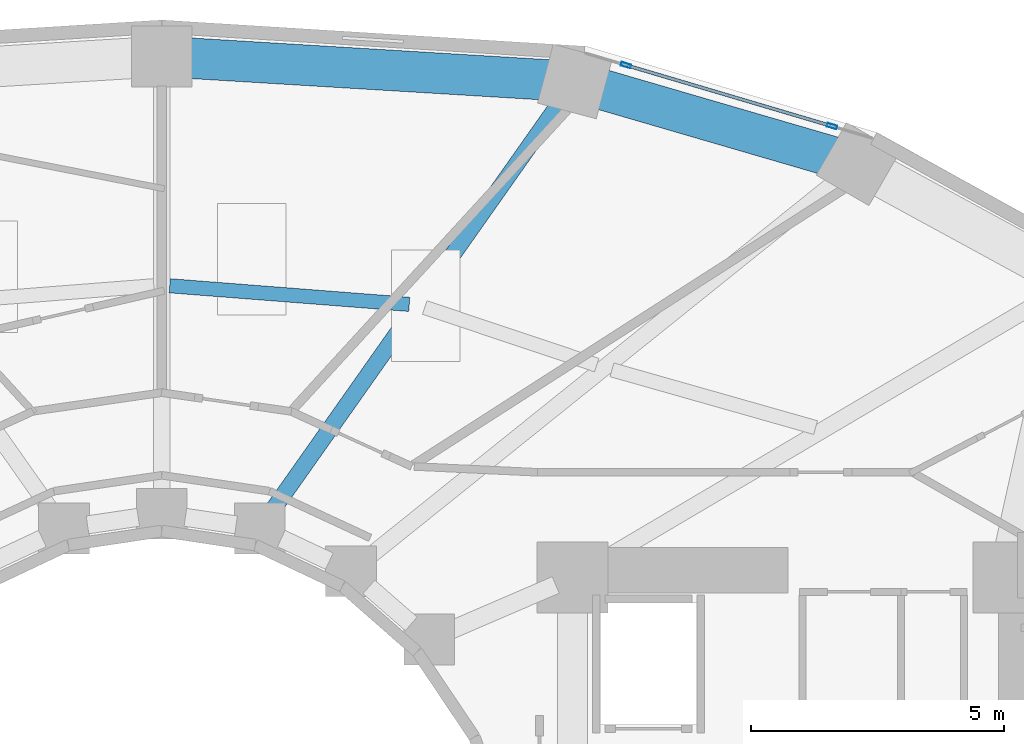
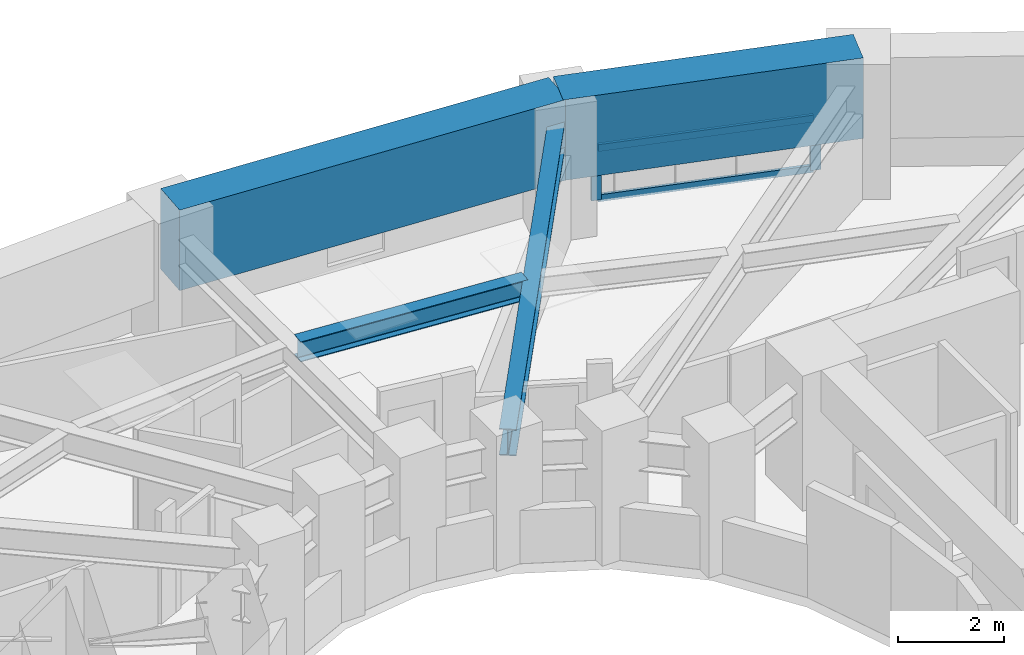
# One storey, part 8 of 17: 4 beams, 4 members, 1 element without a shape of its own.
"""IFC4 building model written with IfcOpenShell, lengths in metres."""

from ifc_helpers import new_model, si_unit, direction, frame, origin, origin_2d, place, context, subcontext, project, spatial, rectangle, hollow_rectangle, i_section, extrude, material, layer, layer_set, material_profile, profile_set, type_object, element, aggregate, save


model = new_model("IFC4")

# Units and contexts
model_context = context("Model", 3, precision=1e-05, world=origin(), true_north=direction((0.0, 1.0)))
body_context = subcontext(model_context, "Body", "Model", "MODEL_VIEW")
ifc_project = project(units=[si_unit("LENGTHUNIT", "METRE"), si_unit("AREAUNIT", "SQUARE_METRE"), si_unit("VOLUMEUNIT", "CUBIC_METRE"), si_unit("PLANEANGLEUNIT", "RADIAN"), si_unit("MASSUNIT", "GRAM", prefix="KILO")], contexts=[model_context])

# Site, building, storey
site_placement = place(None, origin())
site = spatial("IfcSite", under=ifc_project, at=site_placement, CompositionType="ELEMENT")
building_placement = place(site_placement, origin())
building = spatial("IfcBuilding", under=site, at=building_placement, Name="Solvane Sanctuary Tower", CompositionType="ELEMENT")
storey_placement = place(building_placement, frame((0.0, 0.0, 52.39990234375)))
storey = spatial("IfcBuildingStorey", under=building, at=storey_placement, Name="L15", CompositionType="ELEMENT", Elevation=52.39990234375)

# Beams
ifc_material_1 = material(Name="Steel ASTM A992 Grade 50", Category="steel")
ifc_material_profile_1 = material_profile(ifc_material_1, i_section(OverallWidth=0.323974609375, OverallDepth=0.611083984375, WebThickness=0.0126953125, FlangeThickness=0.01904296875, FilletRadius=0.01611328125, at=origin_2d()), Name="W24X104")
ifc_profile_set_1 = profile_set([ifc_material_profile_1], Name="Steel ASTM A992 Grade 50")
beam_type_1 = type_object("IfcBeamType", Name="Beam B-RAD-Z1 W24X104", PredefinedType="BEAM", material=ifc_profile_set_1)
beam_1_placement = place(storey_placement, frame((34.092041015625, 31.400390625, 2.29248046875), z_axis=(0.576233115666, 0.817285382476, 0.0), x_axis=(-0.817285382476, 0.576233115666, 0.0)))
element("IfcBeam", 1, at=beam_1_placement, inside=storey, type_object=beam_type_1, Name="L15 Radial Composite Floor Beam 03", PredefinedType="BEAM", context=body_context, shape_type="SweptSolid", body=[
    extrude(i_section(OverallWidth=0.323974609375, OverallDepth=0.611083984375, WebThickness=0.0126953125, FlangeThickness=0.01904296875, FilletRadius=0.01611328125, at=origin_2d()), origin(), (0.0, 0.0, 1.0), 10.224365234375),
])
ifc_material_profile_2 = material_profile(ifc_material_1, i_section(OverallWidth=0.280029296875, OverallDepth=0.462890625, WebThickness=0.0107421875, FlangeThickness=0.017333984375, FilletRadius=0.013916015625, at=origin_2d()), Name="W18X76")
ifc_profile_set_2 = profile_set([ifc_material_profile_2], Name="Steel ASTM A992 Grade 50")
beam_type_2 = type_object("IfcBeamType", Name="Beam B-SEC-JOIST W18X76", PredefinedType="JOIST", material=ifc_profile_set_2)
beam_2_placement = place(storey_placement, frame((32.156494140625, 35.957763671875, 2.36669921875), z_axis=(0.996997851194, -0.077429223911, 0.0), x_axis=(0.077429223911, 0.996997851194, 0.0)))
element("IfcBeam", 2, at=beam_2_placement, inside=storey, type_object=beam_type_2, Name="L15 Secondary Circumferential Joist 04-03", PredefinedType="JOIST", context=body_context, shape_type="SweptSolid", body=[
    extrude(i_section(OverallWidth=0.280029296875, OverallDepth=0.462890625, WebThickness=0.0107421875, FlangeThickness=0.017333984375, FilletRadius=0.013916015625, at=origin_2d()), origin(), (0.0, 0.0, 1.0), 4.739013671875),
])
ifc_material_2 = material(Name="Concrete C70/85", Category="concrete")
ifc_material_profile_3 = material_profile(ifc_material_2, rectangle(XDim=0.800048828125, YDim=1.85009765625, at=origin_2d()), Name="RC800X1850")
ifc_profile_set_3 = profile_set([ifc_material_profile_3], Name="Concrete C70/85")
beam_type_3 = type_object("IfcBeamType", Name="Beam B-XFER-BLK RC800X1850", PredefinedType="BEAM", material=ifc_profile_set_3)
beam_3_placement = place(storey_placement, frame((32.0, 40.47998046875, 2.175048828125), z_axis=(0.998162963029, -0.06058629579, 0.0), x_axis=(0.06058629579, 0.998162963029, 0.0)))
element("IfcBeam", 3, at=beam_3_placement, inside=storey, type_object=beam_type_3, Name="L15 Perimeter Step Transfer Ring NTC04-NTC03", PredefinedType="BEAM", context=body_context, shape_type="SweptSolid", body=[
    extrude(rectangle(XDim=0.800048828125, YDim=1.85009765625, at=origin_2d()), origin(), (0.0, 0.0, 1.0), 8.159912109375),
])
beam_4_placement = place(storey_placement, frame((40.14501953125, 39.985595703125, 2.175048828125), z_axis=(0.960089774527, -0.279692017849, 0.0), x_axis=(0.279692017849, 0.960089774527, 0.0)))
element("IfcBeam", 4, at=beam_4_placement, inside=storey, type_object=beam_type_3, Name="L15 Perimeter Step Transfer Ring NTC03-NTC02", PredefinedType="BEAM", context=body_context, shape_type="SweptSolid", body=[
    extrude(rectangle(XDim=0.800048828125, YDim=1.85009765625, at=origin_2d()), origin(), (0.0, 0.0, 1.0), 5.814208984375),
])

# Curtain wall, members
ifc_material_3 = material(Name="Anodised Aluminium 6063-T6", Category="aluminium")
ifc_layer = layer(ifc_material_3, 0.169921875, Name="Anodised Aluminium 6063-T6")
ifc_layer_set = layer_set([ifc_layer], Name="Anodised Aluminium 6063-T6")
curtain_wall_type = type_object("IfcCurtainWallType", Name="Curtain Wall CW-FRIT-Z1", PredefinedType="NOTDEFINED", material=ifc_layer_set)
curtain_wall_placement = place(storey_placement, origin())
curtain_wall = element("IfcCurtainWall", 5, at=curtain_wall_placement, inside=storey, type_object=curtain_wall_type, Name="L15 CW-FRIT-Z1 Facade Run 04", PredefinedType="NOTDEFINED")
ifc_material_profile_4 = material_profile(ifc_material_3, hollow_rectangle(XDim=0.074951171875, YDim=0.199951171875, WallThickness=0.00390625, at=origin_2d()), Name="ALU200X75X4")
ifc_profile_set_4 = profile_set([ifc_material_profile_4], Name="Anodised Aluminium 6063-T6")
member_type_1 = type_object("IfcMemberType", Name="Member M-CW-MUL-1 ALU200X75X4", PredefinedType="MULLION", material=ifc_profile_set_4)
member_1_placement = place(storey_placement, frame((45.2197265625, 39.10546875, 0.0), z_axis=(0.0, 0.0, 1.0), x_axis=(-0.283936052018, -0.958843218866, 0.0)))
member_1 = element("IfcMember", 6, at=member_1_placement, type_object=member_type_1, Name="CW-FRIT-Z1 mullion 1", PredefinedType="MULLION", context=body_context, shape_type="SweptSolid", body=[
    extrude(hollow_rectangle(XDim=0.074951171875, YDim=0.199951171875, WallThickness=0.00390625, at=origin_2d()), origin(), (0.0, 0.0, 1.0), 1.22021484375),
])
member_2_placement = place(storey_placement, frame((41.154052734375, 40.3095703125, 0.0), z_axis=(0.0, 0.0, 1.0), x_axis=(-0.283936052018, -0.958843218866, 0.0)))
member_2 = element("IfcMember", 7, at=member_2_placement, type_object=member_type_1, Name="CW-FRIT-Z1 mullion 2", PredefinedType="MULLION", context=body_context, shape_type="SweptSolid", body=[
    extrude(hollow_rectangle(XDim=0.074951171875, YDim=0.199951171875, WallThickness=0.00390625, at=origin_2d()), origin(), (0.0, 0.0, 1.0), 1.22021484375),
])
ifc_material_profile_5 = material_profile(ifc_material_3, hollow_rectangle(XDim=0.06494140625, YDim=0.159912109375, WallThickness=0.00341796875, at=origin_2d()), Name="ALU160X65X3.5")
ifc_profile_set_5 = profile_set([ifc_material_profile_5], Name="Anodised Aluminium 6063-T6")
member_type_2 = type_object("IfcMemberType", Name="Member M-CW-TRN-1 ALU160X65X3.5", PredefinedType="USERDEFINED", material=ifc_profile_set_5)
member_3_placement = place(storey_placement, frame((45.183837890625, 39.1162109375, 0.03271484375), z_axis=(-0.958847767463, 0.283920691093, 0.0), x_axis=(-0.283920691093, -0.958847767463, 0.0)))
member_3 = element("IfcMember", 8, at=member_3_placement, type_object=member_type_2, Name="CW-FRIT-Z1 transom 1.1", ObjectType="TRANSOM", PredefinedType="USERDEFINED", context=body_context, shape_type="SweptSolid", body=[
    extrude(hollow_rectangle(XDim=0.06494140625, YDim=0.159912109375, WallThickness=0.00341796875, at=origin_2d()), origin(), (0.0, 0.0, 1.0), 4.165283203125),
])
member_4_placement = place(storey_placement, frame((45.183837890625, 39.1162109375, 1.1875), z_axis=(-0.958847767463, 0.283920691093, 0.0), x_axis=(-0.283920691093, -0.958847767463, 0.0)))
member_4 = element("IfcMember", 9, at=member_4_placement, type_object=member_type_2, Name="CW-FRIT-Z1 transom 1.2", ObjectType="TRANSOM", PredefinedType="USERDEFINED", context=body_context, shape_type="SweptSolid", body=[
    extrude(hollow_rectangle(XDim=0.06494140625, YDim=0.159912109375, WallThickness=0.00341796875, at=origin_2d()), origin(), (0.0, 0.0, 1.0), 4.165283203125),
])
aggregate(curtain_wall, [member_1, member_2, member_3, member_4])

save(model, "model.ifc")
